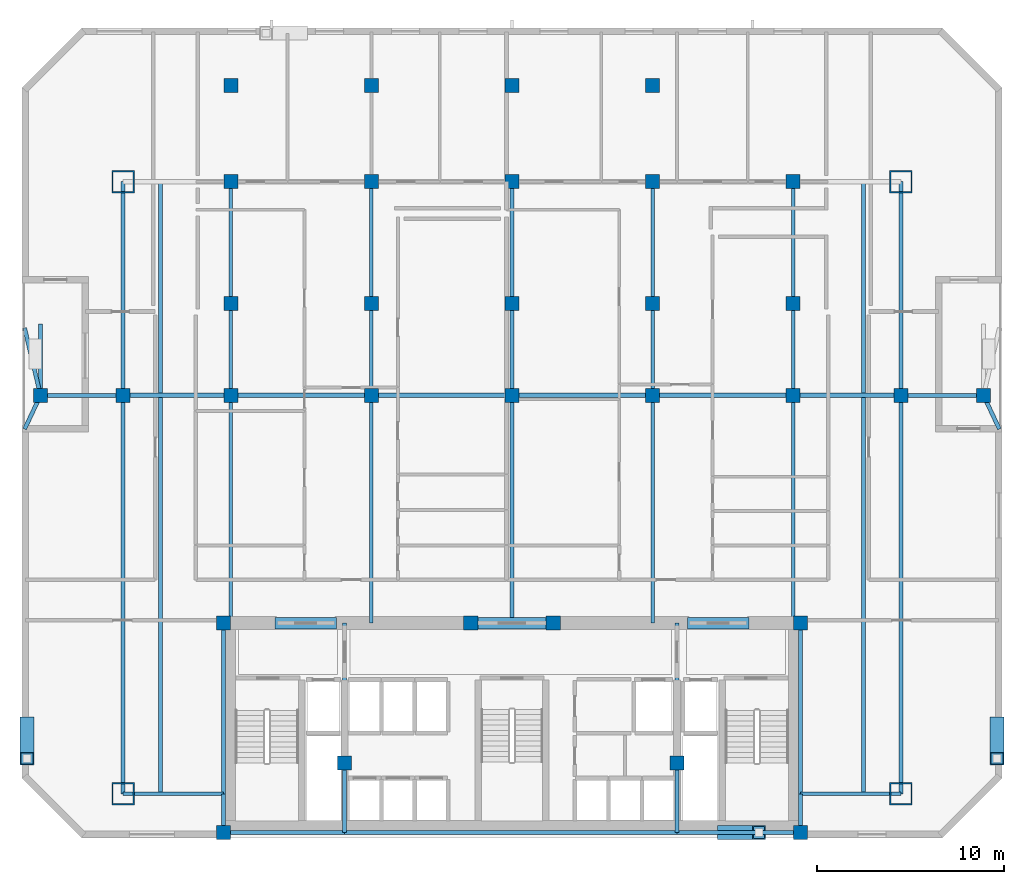
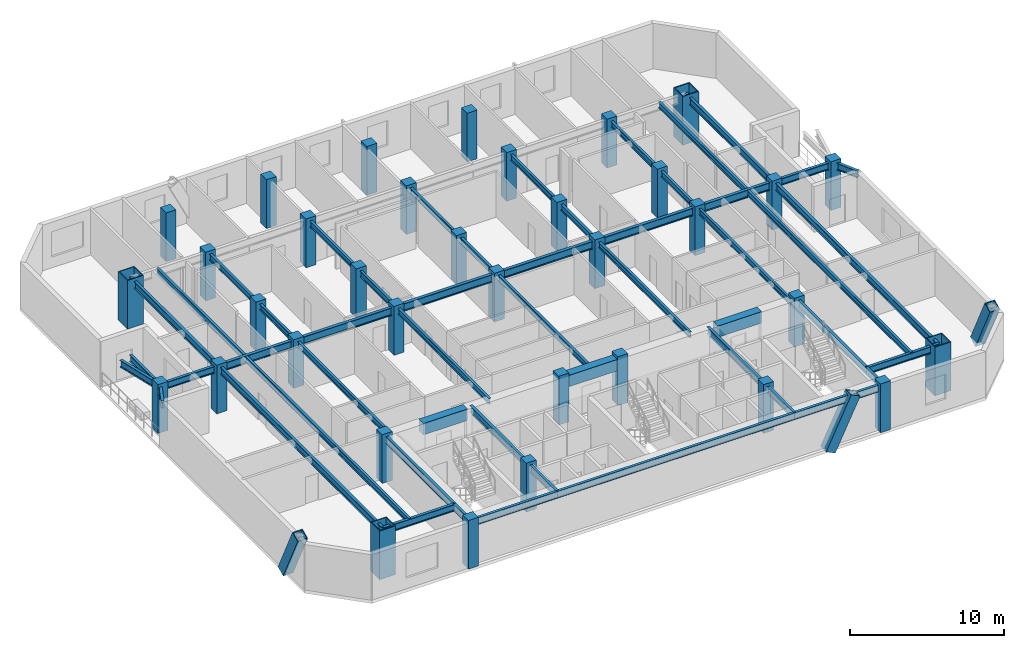
# One storey, part 1 of 9: 46 beams, 35 columns, 3 members.
"""IFC4 building model written with IfcOpenShell, lengths in metres."""

from ifc_helpers import new_model, si_unit, direction, frame, origin, origin_2d, place, context, subcontext, project, spatial, rectangle, hollow_rectangle, i_section, extrude, material, material_profile, profile_set, type_object, element, save


model = new_model("IFC4")

# Units and contexts
model_context = context("Model", 3, precision=1e-05, world=origin(), true_north=direction((0.0, 1.0)))
body_context = subcontext(model_context, "Body", "Model", "MODEL_VIEW")
ifc_project = project(units=[si_unit("LENGTHUNIT", "METRE"), si_unit("AREAUNIT", "SQUARE_METRE"), si_unit("VOLUMEUNIT", "CUBIC_METRE"), si_unit("PLANEANGLEUNIT", "RADIAN"), si_unit("MASSUNIT", "GRAM", prefix="KILO")], contexts=[model_context])

# Site, building, storey
site_placement = place(None, origin())
site = spatial("IfcSite", under=ifc_project, at=site_placement, CompositionType="ELEMENT")
building_placement = place(site_placement, origin())
building = spatial("IfcBuilding", under=site, at=building_placement, Name="Ventersveld Concourse Tower", CompositionType="ELEMENT")
storey_placement = place(building_placement, frame((0.0, 0.0, 115.699951171875)))
storey = spatial("IfcBuildingStorey", under=building, at=storey_placement, Name="L28", CompositionType="ELEMENT", Elevation=115.699951171875)

# Columns
ifc_material_1 = material(Name="Concrete C50/60", Category="concrete")
ifc_material_profile_1 = material_profile(ifc_material_1, rectangle(XDim=0.75, YDim=0.75, at=origin_2d()), Name="RC 750x750")
ifc_profile_set_1 = profile_set([ifc_material_profile_1], Name="Concrete C50/60")
column_type_1 = type_object("IfcColumnType", Name="COL-RC750", PredefinedType="COLUMN", material=ifc_profile_set_1)
for number, where, z_axis, x_axis, name in (
    (1, (13.35009765625, 0.280029296875, 0.0), (0.0, 0.0, 1.0), (1.0, 0.0, 0.0), "L28 Core Spine Column CC-SW"),
    (2, (44.14990234375, 0.280029296875, 0.0), (0.0, 0.0, 1.0), (1.0, 0.0, 0.0), "L28 Core Spine Column CC-SE"),
    (3, (13.35009765625, 11.449951171875, 0.0), (0.0, 0.0, 1.0), (1.0, 0.0, 0.0), "L28 Core Spine Column CC-NW"),
    (4, (44.14990234375, 11.449951171875, 0.0), (0.0, 0.0, 1.0), (1.0, 0.0, 0.0), "L28 Core Spine Column CC-NE"),
    (5, (19.820068359375, 4.0, 0.0), (0.0, 0.0, 1.0), (1.0, 0.0, 0.0), "L28 Core Spine Column CM-1"),
    (6, (37.550048828125, 4.0, 0.0), (0.0, 0.0, 1.0), (1.0, 0.0, 0.0), "L28 Core Spine Column CM-2"),
    (7, (26.550048828125, 11.449951171875, 0.0), (0.0, 0.0, 1.0), (1.0, 0.0, 0.0), "L28 Core Spine Column CM-3"),
    (8, (30.949951171875, 11.449951171875, 0.0), (0.0, 0.0, 1.0), (1.0, 0.0, 0.0), "L28 Core Spine Column CM-4"),
    (9, (3.60009765625, 23.60009765625, 0.0), (0.0, 0.0, 1.0), (1.0, 0.0, 0.0), "L28 Interior Gravity Column X=3.60 Y=23.60"),
    (10, (8.0, 23.60009765625, 0.0), (0.0, 0.0, 1.0), (1.0, 0.0, 0.0), "L28 Interior Gravity Column X=8.00 Y=23.60"),
    (11, (13.75, 23.60009765625, 0.0), (0.0, 0.0, 1.0), (1.0, 0.0, 0.0), "L28 Interior Gravity Column X=13.75 Y=23.60"),
    (12, (21.25, 23.60009765625, 0.0), (0.0, 0.0, 1.0), (1.0, 0.0, 0.0), "L28 Interior Gravity Column X=21.25 Y=23.60"),
    (13, (28.75, 23.60009765625, 0.0), (0.0, 0.0, 1.0), (1.0, 0.0, 0.0), "L28 Interior Gravity Column X=28.75 Y=23.60"),
    (14, (36.25, 23.60009765625, 0.0), (0.0, 0.0, 1.0), (1.0, 0.0, 0.0), "L28 Interior Gravity Column X=36.25 Y=23.60"),
    (15, (43.75, 23.60009765625, 0.0), (0.0, 0.0, 1.0), (1.0, 0.0, 0.0), "L28 Interior Gravity Column X=43.75 Y=23.60"),
    (16, (49.5, 23.60009765625, 0.0), (0.0, 0.0, 1.0), (1.0, 0.0, 0.0), "L28 Interior Gravity Column X=49.50 Y=23.60"),
    (17, (53.89990234375, 23.60009765625, 0.0), (0.0, 0.0, 1.0), (1.0, 0.0, 0.0), "L28 Interior Gravity Column X=53.90 Y=23.60"),
    (18, (13.75, 28.5, 0.0), (0.0, 0.0, 1.0), (1.0, 0.0, 0.0), "L28 Upper-North Gravity Column X=13.75 Y=28.50"),
    (19, (21.25, 28.5, 0.0), (0.0, 0.0, 1.0), (1.0, 0.0, 0.0), "L28 Upper-North Gravity Column X=21.25 Y=28.50"),
    (20, (28.75, 28.5, 0.0), (0.0, 0.0, 1.0), (1.0, 0.0, 0.0), "L28 Upper-North Gravity Column X=28.75 Y=28.50"),
    (21, (36.25, 28.5, 0.0), (0.0, 0.0, 1.0), (1.0, 0.0, 0.0), "L28 Upper-North Gravity Column X=36.25 Y=28.50"),
    (22, (43.75, 28.5, 0.0), (0.0, 0.0, 1.0), (1.0, 0.0, 0.0), "L28 Upper-North Gravity Column X=43.75 Y=28.50"),
    (23, (13.75, 40.1201171875, 0.0), (0.0, 0.0, 1.0), (1.0, 0.0, 0.0), "L28 North Brace Node Column X=13.75 Y=40.12"),
    (24, (21.25, 40.1201171875, 0.0), (0.0, 0.0, 1.0), (1.0, 0.0, 0.0), "L28 North Brace Node Column X=21.25 Y=40.12"),
    (25, (28.75, 40.1201171875, 0.0), (0.0, 0.0, 1.0), (1.0, 0.0, 0.0), "L28 North Brace Node Column X=28.75 Y=40.12"),
    (26, (36.25, 40.1201171875, 0.0), (0.0, 0.0, 1.0), (1.0, 0.0, 0.0), "L28 North Brace Node Column X=36.25 Y=40.12"),
    (27, (13.75, 35.0, 0.0), (0.0, 0.0, 1.0), (1.0, 0.0, 0.0), "L28 Mid-North Column X=13.75 Y=35.00"),
    (28, (21.25, 35.0, 0.0), (0.0, 0.0, 1.0), (1.0, 0.0, 0.0), "L28 Mid-North Column X=21.25 Y=35.00"),
    (29, (28.75, 35.0, 0.0), (0.0, 0.0, 1.0), (1.0, 0.0, 0.0), "L28 Mid-North Column X=28.75 Y=35.00"),
    (30, (36.25, 35.0, 0.0), (0.0, 0.0, 1.0), (1.0, 0.0, 0.0), "L28 Mid-North Column X=36.25 Y=35.00"),
    (31, (43.75, 35.0, 0.0), (0.0, 0.0, 1.0), (1.0, 0.0, 0.0), "L28 Mid-North Column X=43.75 Y=35.00"),
):
    element("IfcColumn", number, at=place(storey_placement, frame(where, z_axis=z_axis, x_axis=x_axis)), inside=storey, type_object=column_type_1, Name=name, PredefinedType="COLUMN", context=body_context, shape_type="SweptSolid", body=[
        extrude(rectangle(XDim=0.75, YDim=0.75, at=origin_2d()), origin(), (0.0, 0.0, 1.0), 3.85009765625),
    ])
ifc_material_2 = material(Name="Structural steel S460ML", Category="steel")
ifc_material_profile_2 = material_profile(ifc_material_2, hollow_rectangle(XDim=1.199951171875, YDim=1.199951171875, WallThickness=0.070068359375, at=origin_2d()), Name="BOX 1200x1200x70")
ifc_profile_set_2 = profile_set([ifc_material_profile_2], Name="Structural steel S460ML")
column_type_2 = type_object("IfcColumnType", Name="MC-1200", PredefinedType="USERDEFINED", material=ifc_profile_set_2)
for number, where, z_axis, x_axis, name in (
    (32, (8.0, 2.35009765625, 0.0), (0.0, 0.0, 1.0), (1.0, 0.0, 0.0), "L28 Corner Mega-Column MC-SW"),
    (33, (49.5, 2.35009765625, 0.0), (0.0, 0.0, 1.0), (1.0, 0.0, 0.0), "L28 Corner Mega-Column MC-SE"),
    (34, (49.5, 35.0, 0.0), (0.0, 0.0, 1.0), (1.0, 0.0, 0.0), "L28 Corner Mega-Column MC-NE"),
    (35, (8.0, 35.0, 0.0), (0.0, 0.0, 1.0), (1.0, 0.0, 0.0), "L28 Corner Mega-Column MC-NW"),
):
    element("IfcColumn", number, at=place(storey_placement, frame(where, z_axis=z_axis, x_axis=x_axis)), inside=storey, type_object=column_type_2, Name=name, ObjectType="MEGA_COLUMN", PredefinedType="USERDEFINED", context=body_context, shape_type="SweptSolid", body=[
        extrude(hollow_rectangle(XDim=1.199951171875, YDim=1.199951171875, WallThickness=0.070068359375, at=origin_2d()), origin(), (0.0, 0.0, 1.0), 3.85009765625),
    ])

# Beams
ifc_material_3 = material(Name="Structural steel S355J2", Category="steel")
ifc_material_profile_3 = material_profile(ifc_material_3, i_section(OverallWidth=0.18994140625, OverallDepth=0.453369140625, WebThickness=0.008544921875, FlangeThickness=0.0126953125, FilletRadius=0.01025390625, at=origin_2d()), Name="UB 457x191x67")
ifc_profile_set_3 = profile_set([ifc_material_profile_3], Name="Structural steel S355J2")
beam_type_1 = type_object("IfcBeamType", Name="BM-UB457", PredefinedType="BEAM", material=ifc_profile_set_3)
beam_1_placement = place(storey_placement, frame((10.0, 2.35009765625, 3.373291015625), z_axis=(0.0, 1.0, 0.0), x_axis=(-1.0, 0.0, 0.0)))
element("IfcBeam", 36, at=beam_1_placement, inside=storey, type_object=beam_type_1, Name="L28 N-S Composite Floor Beam South X=10.00", PredefinedType="BEAM", context=body_context, shape_type="SweptSolid", body=[
    extrude(i_section(OverallWidth=0.18994140625, OverallDepth=0.453369140625, WebThickness=0.008544921875, FlangeThickness=0.0126953125, FilletRadius=0.01025390625, at=origin_2d()), origin(), (0.0, 0.0, 1.0), 21.15478515625),
])
beam_2_placement = place(storey_placement, frame((10.0, 23.695068359375, 3.373291015625), z_axis=(0.0, 1.0, 0.0), x_axis=(-1.0, 0.0, 0.0)))
element("IfcBeam", 37, at=beam_2_placement, inside=storey, type_object=beam_type_1, Name="L28 N-S Composite Floor Beam Mid X=10.00", PredefinedType="BEAM", context=body_context, shape_type="SweptSolid", body=[
    extrude(i_section(OverallWidth=0.18994140625, OverallDepth=0.453369140625, WebThickness=0.008544921875, FlangeThickness=0.0126953125, FilletRadius=0.01025390625, at=origin_2d()), origin(), (0.0, 0.0, 1.0), 11.304931640625),
])
beam_3_placement = place(storey_placement, frame((13.75, 11.449951171875, 3.373291015625), z_axis=(0.0, 1.0, 0.0), x_axis=(-1.0, 0.0, 0.0)))
element("IfcBeam", 38, at=beam_3_placement, inside=storey, type_object=beam_type_1, Name="L28 N-S Composite Floor Beam South X=13.75", PredefinedType="BEAM", context=body_context, shape_type="SweptSolid", body=[
    extrude(i_section(OverallWidth=0.18994140625, OverallDepth=0.453369140625, WebThickness=0.008544921875, FlangeThickness=0.0126953125, FilletRadius=0.01025390625, at=origin_2d()), origin(), (0.0, 0.0, 1.0), 12.150146484375),
])
beam_4_placement = place(storey_placement, frame((13.75, 23.60009765625, 3.373291015625), z_axis=(0.0, 1.0, 0.0), x_axis=(-1.0, 0.0, 0.0)))
element("IfcBeam", 39, at=beam_4_placement, inside=storey, type_object=beam_type_1, Name="L28 N-S Composite Floor Beam Mid X=13.75", PredefinedType="BEAM", context=body_context, shape_type="SweptSolid", body=[
    extrude(i_section(OverallWidth=0.18994140625, OverallDepth=0.453369140625, WebThickness=0.008544921875, FlangeThickness=0.0126953125, FilletRadius=0.01025390625, at=origin_2d()), origin(), (0.0, 0.0, 1.0), 11.39990234375),
])
beam_5_placement = place(storey_placement, frame((21.25, 11.449951171875, 3.373291015625), z_axis=(0.0, 1.0, 0.0), x_axis=(-1.0, 0.0, 0.0)))
element("IfcBeam", 40, at=beam_5_placement, inside=storey, type_object=beam_type_1, Name="L28 N-S Composite Floor Beam South X=21.25", PredefinedType="BEAM", context=body_context, shape_type="SweptSolid", body=[
    extrude(i_section(OverallWidth=0.18994140625, OverallDepth=0.453369140625, WebThickness=0.008544921875, FlangeThickness=0.0126953125, FilletRadius=0.01025390625, at=origin_2d()), origin(), (0.0, 0.0, 1.0), 12.150146484375),
])
beam_6_placement = place(storey_placement, frame((21.25, 23.60009765625, 3.373291015625), z_axis=(0.0, 1.0, 0.0), x_axis=(-1.0, 0.0, 0.0)))
element("IfcBeam", 41, at=beam_6_placement, inside=storey, type_object=beam_type_1, Name="L28 N-S Composite Floor Beam Mid X=21.25", PredefinedType="BEAM", context=body_context, shape_type="SweptSolid", body=[
    extrude(i_section(OverallWidth=0.18994140625, OverallDepth=0.453369140625, WebThickness=0.008544921875, FlangeThickness=0.0126953125, FilletRadius=0.01025390625, at=origin_2d()), origin(), (0.0, 0.0, 1.0), 11.39990234375),
])
beam_7_placement = place(storey_placement, frame((28.75, 11.449951171875, 3.373291015625), z_axis=(0.0, 1.0, 0.0), x_axis=(-1.0, 0.0, 0.0)))
element("IfcBeam", 42, at=beam_7_placement, inside=storey, type_object=beam_type_1, Name="L28 N-S Composite Floor Beam South X=28.75", PredefinedType="BEAM", context=body_context, shape_type="SweptSolid", body=[
    extrude(i_section(OverallWidth=0.18994140625, OverallDepth=0.453369140625, WebThickness=0.008544921875, FlangeThickness=0.0126953125, FilletRadius=0.01025390625, at=origin_2d()), origin(), (0.0, 0.0, 1.0), 12.150146484375),
])
beam_8_placement = place(storey_placement, frame((28.75, 23.60009765625, 3.373291015625), z_axis=(0.0, 1.0, 0.0), x_axis=(-1.0, 0.0, 0.0)))
element("IfcBeam", 43, at=beam_8_placement, inside=storey, type_object=beam_type_1, Name="L28 N-S Composite Floor Beam Mid X=28.75", PredefinedType="BEAM", context=body_context, shape_type="SweptSolid", body=[
    extrude(i_section(OverallWidth=0.18994140625, OverallDepth=0.453369140625, WebThickness=0.008544921875, FlangeThickness=0.0126953125, FilletRadius=0.01025390625, at=origin_2d()), origin(), (0.0, 0.0, 1.0), 11.39990234375),
])
beam_9_placement = place(storey_placement, frame((36.25, 11.449951171875, 3.373291015625), z_axis=(0.0, 1.0, 0.0), x_axis=(-1.0, 0.0, 0.0)))
element("IfcBeam", 44, at=beam_9_placement, inside=storey, type_object=beam_type_1, Name="L28 N-S Composite Floor Beam South X=36.25", PredefinedType="BEAM", context=body_context, shape_type="SweptSolid", body=[
    extrude(i_section(OverallWidth=0.18994140625, OverallDepth=0.453369140625, WebThickness=0.008544921875, FlangeThickness=0.0126953125, FilletRadius=0.01025390625, at=origin_2d()), origin(), (0.0, 0.0, 1.0), 12.150146484375),
])
beam_10_placement = place(storey_placement, frame((36.25, 23.60009765625, 3.373291015625), z_axis=(0.0, 1.0, 0.0), x_axis=(-1.0, 0.0, 0.0)))
element("IfcBeam", 45, at=beam_10_placement, inside=storey, type_object=beam_type_1, Name="L28 N-S Composite Floor Beam Mid X=36.25", PredefinedType="BEAM", context=body_context, shape_type="SweptSolid", body=[
    extrude(i_section(OverallWidth=0.18994140625, OverallDepth=0.453369140625, WebThickness=0.008544921875, FlangeThickness=0.0126953125, FilletRadius=0.01025390625, at=origin_2d()), origin(), (0.0, 0.0, 1.0), 11.39990234375),
])
beam_11_placement = place(storey_placement, frame((43.75, 11.449951171875, 3.373291015625), z_axis=(0.0, 1.0, 0.0), x_axis=(-1.0, 0.0, 0.0)))
element("IfcBeam", 46, at=beam_11_placement, inside=storey, type_object=beam_type_1, Name="L28 N-S Composite Floor Beam South X=43.75", PredefinedType="BEAM", context=body_context, shape_type="SweptSolid", body=[
    extrude(i_section(OverallWidth=0.18994140625, OverallDepth=0.453369140625, WebThickness=0.008544921875, FlangeThickness=0.0126953125, FilletRadius=0.01025390625, at=origin_2d()), origin(), (0.0, 0.0, 1.0), 12.150146484375),
])
beam_12_placement = place(storey_placement, frame((43.75, 23.60009765625, 3.373291015625), z_axis=(0.0, 1.0, 0.0), x_axis=(-1.0, 0.0, 0.0)))
element("IfcBeam", 47, at=beam_12_placement, inside=storey, type_object=beam_type_1, Name="L28 N-S Composite Floor Beam Mid X=43.75", PredefinedType="BEAM", context=body_context, shape_type="SweptSolid", body=[
    extrude(i_section(OverallWidth=0.18994140625, OverallDepth=0.453369140625, WebThickness=0.008544921875, FlangeThickness=0.0126953125, FilletRadius=0.01025390625, at=origin_2d()), origin(), (0.0, 0.0, 1.0), 11.39990234375),
])
beam_13_placement = place(storey_placement, frame((47.5, 2.35009765625, 3.373291015625), z_axis=(0.0, 1.0, 0.0), x_axis=(-1.0, 0.0, 0.0)))
element("IfcBeam", 48, at=beam_13_placement, inside=storey, type_object=beam_type_1, Name="L28 N-S Composite Floor Beam South X=47.50", PredefinedType="BEAM", context=body_context, shape_type="SweptSolid", body=[
    extrude(i_section(OverallWidth=0.18994140625, OverallDepth=0.453369140625, WebThickness=0.008544921875, FlangeThickness=0.0126953125, FilletRadius=0.01025390625, at=origin_2d()), origin(), (0.0, 0.0, 1.0), 21.15478515625),
])
beam_14_placement = place(storey_placement, frame((47.5, 23.695068359375, 3.373291015625), z_axis=(0.0, 1.0, 0.0), x_axis=(-1.0, 0.0, 0.0)))
element("IfcBeam", 49, at=beam_14_placement, inside=storey, type_object=beam_type_1, Name="L28 N-S Composite Floor Beam Mid X=47.50", PredefinedType="BEAM", context=body_context, shape_type="SweptSolid", body=[
    extrude(i_section(OverallWidth=0.18994140625, OverallDepth=0.453369140625, WebThickness=0.008544921875, FlangeThickness=0.0126953125, FilletRadius=0.01025390625, at=origin_2d()), origin(), (0.0, 0.0, 1.0), 11.304931640625),
])
ifc_material_4 = material(Name="Concrete C60/75", Category="concrete")
ifc_material_profile_4 = material_profile(ifc_material_4, rectangle(XDim=0.60009765625, YDim=0.89990234375, at=origin_2d()), Name="RC 600x900")
ifc_profile_set_4 = profile_set([ifc_material_profile_4], Name="Concrete C60/75")
beam_type_2 = type_object("IfcBeamType", Name="CB-RC600x900L", PredefinedType="LINTEL", material=ifc_profile_set_4)
beam_15_placement = place(storey_placement, frame((16.10009765625, 11.449951171875, 3.150146484375), z_axis=(1.0, 0.0, 0.0), x_axis=(0.0, 1.0, 0.0)))
element("IfcBeam", 50, at=beam_15_placement, inside=storey, type_object=beam_type_2, Name="L28 Core Coupling Lintel Beam 1", PredefinedType="LINTEL", context=body_context, shape_type="SweptSolid", body=[
    extrude(rectangle(XDim=0.60009765625, YDim=0.89990234375, at=origin_2d()), origin(), (0.0, 0.0, 1.0), 3.2998046875),
])
beam_16_placement = place(storey_placement, frame((26.5, 11.449951171875, 3.150146484375), z_axis=(1.0, 0.0, 0.0), x_axis=(0.0, 1.0, 0.0)))
element("IfcBeam", 51, at=beam_16_placement, inside=storey, type_object=beam_type_2, Name="L28 Core Coupling Lintel Beam 2", PredefinedType="LINTEL", context=body_context, shape_type="SweptSolid", body=[
    extrude(rectangle(XDim=0.60009765625, YDim=0.89990234375, at=origin_2d()), origin(), (0.0, 0.0, 1.0), 4.5),
])
beam_17_placement = place(storey_placement, frame((38.10009765625, 11.449951171875, 3.150146484375), z_axis=(1.0, 0.0, 0.0), x_axis=(0.0, 1.0, 0.0)))
element("IfcBeam", 52, at=beam_17_placement, inside=storey, type_object=beam_type_2, Name="L28 Core Coupling Lintel Beam 3", PredefinedType="LINTEL", context=body_context, shape_type="SweptSolid", body=[
    extrude(rectangle(XDim=0.60009765625, YDim=0.89990234375, at=origin_2d()), origin(), (0.0, 0.0, 1.0), 3.2998046875),
])
ifc_material_profile_5 = material_profile(ifc_material_3, i_section(OverallWidth=0.2119140625, OverallDepth=0.54443359375, WebThickness=0.0126953125, FlangeThickness=0.021240234375, FilletRadius=0.0126953125, at=origin_2d()), Name="UB 533x210x122")
ifc_profile_set_5 = profile_set([ifc_material_profile_5], Name="Structural steel S355J2")
beam_type_3 = type_object("IfcBeamType", Name="GRD-UB533H", PredefinedType="T_BEAM", material=ifc_profile_set_5)
beam_18_placement = place(storey_placement, frame((13.35009765625, 0.280029296875, 3.32763671875), z_axis=(0.0, 1.0, 0.0), x_axis=(-1.0, 0.0, 0.0)))
element("IfcBeam", 53, at=beam_18_placement, inside=storey, type_object=beam_type_3, Name="L28 Core West Tie Beam S", PredefinedType="T_BEAM", context=body_context, shape_type="SweptSolid", body=[
    extrude(i_section(OverallWidth=0.2119140625, OverallDepth=0.54443359375, WebThickness=0.0126953125, FlangeThickness=0.021240234375, FilletRadius=0.0126953125, at=origin_2d()), origin(), (0.0, 0.0, 1.0), 2.070068359375),
])
beam_19_placement = place(storey_placement, frame((13.35009765625, 2.35009765625, 3.32763671875), z_axis=(0.0, 1.0, 0.0), x_axis=(-1.0, 0.0, 0.0)))
element("IfcBeam", 54, at=beam_19_placement, inside=storey, type_object=beam_type_3, Name="L28 Core West Tie Beam N", PredefinedType="T_BEAM", context=body_context, shape_type="SweptSolid", body=[
    extrude(i_section(OverallWidth=0.2119140625, OverallDepth=0.54443359375, WebThickness=0.0126953125, FlangeThickness=0.021240234375, FilletRadius=0.0126953125, at=origin_2d()), origin(), (0.0, 0.0, 1.0), 9.099853515625),
])
beam_20_placement = place(storey_placement, frame((44.14990234375, 0.280029296875, 3.32763671875), z_axis=(0.0, 1.0, 0.0), x_axis=(-1.0, 0.0, 0.0)))
element("IfcBeam", 55, at=beam_20_placement, inside=storey, type_object=beam_type_3, Name="L28 Core East Tie Beam S", PredefinedType="T_BEAM", context=body_context, shape_type="SweptSolid", body=[
    extrude(i_section(OverallWidth=0.2119140625, OverallDepth=0.54443359375, WebThickness=0.0126953125, FlangeThickness=0.021240234375, FilletRadius=0.0126953125, at=origin_2d()), origin(), (0.0, 0.0, 1.0), 2.070068359375),
])
beam_21_placement = place(storey_placement, frame((44.14990234375, 2.35009765625, 3.32763671875), z_axis=(0.0, 1.0, 0.0), x_axis=(-1.0, 0.0, 0.0)))
element("IfcBeam", 56, at=beam_21_placement, inside=storey, type_object=beam_type_3, Name="L28 Core East Tie Beam N", PredefinedType="T_BEAM", context=body_context, shape_type="SweptSolid", body=[
    extrude(i_section(OverallWidth=0.2119140625, OverallDepth=0.54443359375, WebThickness=0.0126953125, FlangeThickness=0.021240234375, FilletRadius=0.0126953125, at=origin_2d()), origin(), (0.0, 0.0, 1.0), 9.099853515625),
])
beam_22_placement = place(storey_placement, frame((13.35009765625, 0.280029296875, 3.32763671875), z_axis=(1.0, 0.0, 0.0), x_axis=(0.0, 1.0, 0.0)))
element("IfcBeam", 57, at=beam_22_placement, inside=storey, type_object=beam_type_3, Name="L28 Core South Tie Beam W", PredefinedType="T_BEAM", context=body_context, shape_type="SweptSolid", body=[
    extrude(i_section(OverallWidth=0.2119140625, OverallDepth=0.54443359375, WebThickness=0.0126953125, FlangeThickness=0.021240234375, FilletRadius=0.0126953125, at=origin_2d()), origin(), (0.0, 0.0, 1.0), 6.469970703125),
])
beam_23_placement = place(storey_placement, frame((19.820068359375, 0.280029296875, 3.32763671875), z_axis=(1.0, 0.0, 0.0), x_axis=(0.0, 1.0, 0.0)))
element("IfcBeam", 58, at=beam_23_placement, inside=storey, type_object=beam_type_3, Name="L28 Core South Tie Beam C", PredefinedType="T_BEAM", context=body_context, shape_type="SweptSolid", body=[
    extrude(i_section(OverallWidth=0.2119140625, OverallDepth=0.54443359375, WebThickness=0.0126953125, FlangeThickness=0.021240234375, FilletRadius=0.0126953125, at=origin_2d()), origin(), (0.0, 0.0, 1.0), 17.72998046875),
])
beam_24_placement = place(storey_placement, frame((37.550048828125, 0.280029296875, 3.32763671875), z_axis=(1.0, 0.0, 0.0), x_axis=(0.0, 1.0, 0.0)))
element("IfcBeam", 59, at=beam_24_placement, inside=storey, type_object=beam_type_3, Name="L28 Core South Tie Beam E", PredefinedType="T_BEAM", context=body_context, shape_type="SweptSolid", body=[
    extrude(i_section(OverallWidth=0.2119140625, OverallDepth=0.54443359375, WebThickness=0.0126953125, FlangeThickness=0.021240234375, FilletRadius=0.0126953125, at=origin_2d()), origin(), (0.0, 0.0, 1.0), 6.599853515625),
])
beam_25_placement = place(storey_placement, frame((19.820068359375, 0.280029296875, 3.32763671875), z_axis=(0.0, 1.0, 0.0), x_axis=(-1.0, 0.0, 0.0)))
element("IfcBeam", 60, at=beam_25_placement, inside=storey, type_object=beam_type_3, Name="L28 Core Spine N-S Tie Beam W1", PredefinedType="T_BEAM", context=body_context, shape_type="SweptSolid", body=[
    extrude(i_section(OverallWidth=0.2119140625, OverallDepth=0.54443359375, WebThickness=0.0126953125, FlangeThickness=0.021240234375, FilletRadius=0.0126953125, at=origin_2d()), origin(), (0.0, 0.0, 1.0), 3.719970703125),
])
beam_26_placement = place(storey_placement, frame((19.820068359375, 4.0, 3.32763671875), z_axis=(0.0, 1.0, 0.0), x_axis=(-1.0, 0.0, 0.0)))
element("IfcBeam", 61, at=beam_26_placement, inside=storey, type_object=beam_type_3, Name="L28 Core Spine N-S Tie Beam W2", PredefinedType="T_BEAM", context=body_context, shape_type="SweptSolid", body=[
    extrude(i_section(OverallWidth=0.2119140625, OverallDepth=0.54443359375, WebThickness=0.0126953125, FlangeThickness=0.021240234375, FilletRadius=0.0126953125, at=origin_2d()), origin(), (0.0, 0.0, 1.0), 7.449951171875),
])
beam_27_placement = place(storey_placement, frame((37.550048828125, 0.280029296875, 3.32763671875), z_axis=(0.0, 1.0, 0.0), x_axis=(-1.0, 0.0, 0.0)))
element("IfcBeam", 62, at=beam_27_placement, inside=storey, type_object=beam_type_3, Name="L28 Core Spine N-S Tie Beam E1", PredefinedType="T_BEAM", context=body_context, shape_type="SweptSolid", body=[
    extrude(i_section(OverallWidth=0.2119140625, OverallDepth=0.54443359375, WebThickness=0.0126953125, FlangeThickness=0.021240234375, FilletRadius=0.0126953125, at=origin_2d()), origin(), (0.0, 0.0, 1.0), 3.719970703125),
])
beam_28_placement = place(storey_placement, frame((37.550048828125, 4.0, 3.32763671875), z_axis=(0.0, 1.0, 0.0), x_axis=(-1.0, 0.0, 0.0)))
element("IfcBeam", 63, at=beam_28_placement, inside=storey, type_object=beam_type_3, Name="L28 Core Spine N-S Tie Beam E2", PredefinedType="T_BEAM", context=body_context, shape_type="SweptSolid", body=[
    extrude(i_section(OverallWidth=0.2119140625, OverallDepth=0.54443359375, WebThickness=0.0126953125, FlangeThickness=0.021240234375, FilletRadius=0.0126953125, at=origin_2d()), origin(), (0.0, 0.0, 1.0), 7.449951171875),
])
ifc_material_profile_6 = material_profile(ifc_material_3, i_section(OverallWidth=0.230224609375, OverallDepth=0.6171875, WebThickness=0.01318359375, FlangeThickness=0.022216796875, FilletRadius=0.0126953125, at=origin_2d()), Name="UB 610x229x140")
ifc_profile_set_6 = profile_set([ifc_material_profile_6], Name="Structural steel S355J2")
beam_type_4 = type_object("IfcBeamType", Name="GRD-UB610", PredefinedType="USERDEFINED", material=ifc_profile_set_6)
beam_29_placement = place(storey_placement, frame((8.0, 23.60009765625, 3.29150390625), z_axis=(1.0, 0.0, 0.0), x_axis=(0.0, 1.0, 0.0)))
element("IfcBeam", 64, at=beam_29_placement, inside=storey, type_object=beam_type_4, Name="L28 Primary E-W Grid Girder Y=23.60 #1", ObjectType="GIRDER", PredefinedType="USERDEFINED", context=body_context, shape_type="SweptSolid", body=[
    extrude(i_section(OverallWidth=0.230224609375, OverallDepth=0.6171875, WebThickness=0.01318359375, FlangeThickness=0.022216796875, FilletRadius=0.0126953125, at=origin_2d()), origin(), (0.0, 0.0, 1.0), 5.75),
])
for number, where, z_axis, x_axis, name in (
    (65, (13.75, 23.60009765625, 3.29150390625), (1.0, 0.0, 0.0), (0.0, 1.0, 0.0), "L28 Primary E-W Grid Girder Y=23.60 #2"),
    (66, (21.25, 23.60009765625, 3.29150390625), (1.0, 0.0, 0.0), (0.0, 1.0, 0.0), "L28 Primary E-W Grid Girder Y=23.60 #3"),
    (67, (28.75, 23.60009765625, 3.29150390625), (1.0, 0.0, 0.0), (0.0, 1.0, 0.0), "L28 Primary E-W Grid Girder Y=23.60 #4"),
    (68, (36.25, 23.60009765625, 3.29150390625), (1.0, 0.0, 0.0), (0.0, 1.0, 0.0), "L28 Primary E-W Grid Girder Y=23.60 #5"),
):
    element("IfcBeam", number, at=place(storey_placement, frame(where, z_axis=z_axis, x_axis=x_axis)), inside=storey, type_object=beam_type_4, Name=name, ObjectType="GIRDER", PredefinedType="USERDEFINED", context=body_context, shape_type="SweptSolid", body=[
        extrude(i_section(OverallWidth=0.230224609375, OverallDepth=0.6171875, WebThickness=0.01318359375, FlangeThickness=0.022216796875, FilletRadius=0.0126953125, at=origin_2d()), origin(), (0.0, 0.0, 1.0), 7.5),
    ])
beam_30_placement = place(storey_placement, frame((43.75, 23.60009765625, 3.29150390625), z_axis=(1.0, 0.0, 0.0), x_axis=(0.0, 1.0, 0.0)))
element("IfcBeam", 69, at=beam_30_placement, inside=storey, type_object=beam_type_4, Name="L28 Primary E-W Grid Girder Y=23.60 #6", ObjectType="GIRDER", PredefinedType="USERDEFINED", context=body_context, shape_type="SweptSolid", body=[
    extrude(i_section(OverallWidth=0.230224609375, OverallDepth=0.6171875, WebThickness=0.01318359375, FlangeThickness=0.022216796875, FilletRadius=0.0126953125, at=origin_2d()), origin(), (0.0, 0.0, 1.0), 5.75),
])

# Members
ifc_material_5 = material(Name="Structural steel S355ML", Category="steel")
ifc_material_profile_7 = material_profile(ifc_material_5, hollow_rectangle(XDim=0.75, YDim=0.75, WallThickness=0.044921875, at=origin_2d()), Name="BOX 750x750x45")
ifc_profile_set_7 = profile_set([ifc_material_profile_7], Name="Structural steel S355ML")
member_type = type_object("IfcMemberType", Name="MB-750x750", PredefinedType="BRACE", material=ifc_profile_set_7)
for number, where, z_axis, x_axis, name in (
    (70, (40.050048828125, 0.280029296875, -0.25), (0.437839464193, 0.0, 0.899053170616), (0.0, 1.0, 0.0), "L28 Exterior Mega-Brace S (Module M06)"),
    (71, (2.8798828125, 6.10009765625, -0.25), (0.0, -0.437839464193, 0.899053170616), (1.0, 0.0, 0.0), "L28 Exterior Mega-Brace W (Module M06)"),
    (72, (54.6201171875, 6.10009765625, -0.25), (0.0, -0.437839464193, 0.899053170616), (1.0, 0.0, 0.0), "L28 Exterior Mega-Brace E (Module M06)"),
):
    element("IfcMember", number, at=place(storey_placement, frame(where, z_axis=z_axis, x_axis=x_axis)), inside=storey, type_object=member_type, Name=name, PredefinedType="BRACE", context=body_context, shape_type="SweptSolid", body=[
        extrude(hollow_rectangle(XDim=0.75, YDim=0.75, WallThickness=0.044921875, at=origin_2d()), origin(), (0.0, 0.0, 1.0), 4.282470703125),
    ])

# Beams
ifc_material_profile_8 = material_profile(ifc_material_3, i_section(OverallWidth=0.2119140625, OverallDepth=0.54443359375, WebThickness=0.0126953125, FlangeThickness=0.021240234375, FilletRadius=0.0126953125, at=origin_2d()), Name="UB 533x210x122")
ifc_profile_set_8 = profile_set([ifc_material_profile_8], Name="Structural steel S355J2")
beam_type_5 = type_object("IfcBeamType", Name="SPD-UB533", PredefinedType="SPANDREL", material=ifc_profile_set_8)
for number, where, z_axis, x_axis, name in (
    (73, (8.0, 2.35009765625, 3.32763671875), (1.0, 0.0, 0.0), (0.0, 1.0, 0.0), "L28 SW Spandrel Beam"),
    (74, (44.14990234375, 2.35009765625, 3.32763671875), (1.0, 0.0, 0.0), (0.0, 1.0, 0.0), "L28 SE Spandrel Beam"),
):
    element("IfcBeam", number, at=place(storey_placement, frame(where, z_axis=z_axis, x_axis=x_axis)), inside=storey, type_object=beam_type_5, Name=name, PredefinedType="SPANDREL", context=body_context, shape_type="SweptSolid", body=[
        extrude(i_section(OverallWidth=0.2119140625, OverallDepth=0.54443359375, WebThickness=0.0126953125, FlangeThickness=0.021240234375, FilletRadius=0.0126953125, at=origin_2d()), origin(), (0.0, 0.0, 1.0), 5.35009765625),
    ])
beam_31_placement = place(storey_placement, frame((8.0, 2.35009765625, 3.32763671875), z_axis=(0.0, 1.0, 0.0), x_axis=(-1.0, 0.0, 0.0)))
element("IfcBeam", 75, at=beam_31_placement, inside=storey, type_object=beam_type_5, Name="L28 West Spandrel Beam S", PredefinedType="SPANDREL", context=body_context, shape_type="SweptSolid", body=[
    extrude(i_section(OverallWidth=0.2119140625, OverallDepth=0.54443359375, WebThickness=0.0126953125, FlangeThickness=0.021240234375, FilletRadius=0.0126953125, at=origin_2d()), origin(), (0.0, 0.0, 1.0), 21.25),
])
beam_32_placement = place(storey_placement, frame((8.0, 23.60009765625, 3.32763671875), z_axis=(0.0, 1.0, 0.0), x_axis=(-1.0, 0.0, 0.0)))
element("IfcBeam", 76, at=beam_32_placement, inside=storey, type_object=beam_type_5, Name="L28 West Spandrel Beam N", PredefinedType="SPANDREL", context=body_context, shape_type="SweptSolid", body=[
    extrude(i_section(OverallWidth=0.2119140625, OverallDepth=0.54443359375, WebThickness=0.0126953125, FlangeThickness=0.021240234375, FilletRadius=0.0126953125, at=origin_2d()), origin(), (0.0, 0.0, 1.0), 11.39990234375),
])
beam_33_placement = place(storey_placement, frame((49.5, 2.35009765625, 3.32763671875), z_axis=(0.0, 1.0, 0.0), x_axis=(-1.0, 0.0, 0.0)))
element("IfcBeam", 77, at=beam_33_placement, inside=storey, type_object=beam_type_5, Name="L28 East Spandrel Beam S", PredefinedType="SPANDREL", context=body_context, shape_type="SweptSolid", body=[
    extrude(i_section(OverallWidth=0.2119140625, OverallDepth=0.54443359375, WebThickness=0.0126953125, FlangeThickness=0.021240234375, FilletRadius=0.0126953125, at=origin_2d()), origin(), (0.0, 0.0, 1.0), 21.25),
])
beam_34_placement = place(storey_placement, frame((49.5, 23.60009765625, 3.32763671875), z_axis=(0.0, 1.0, 0.0), x_axis=(-1.0, 0.0, 0.0)))
element("IfcBeam", 78, at=beam_34_placement, inside=storey, type_object=beam_type_5, Name="L28 East Spandrel Beam N", PredefinedType="SPANDREL", context=body_context, shape_type="SweptSolid", body=[
    extrude(i_section(OverallWidth=0.2119140625, OverallDepth=0.54443359375, WebThickness=0.0126953125, FlangeThickness=0.021240234375, FilletRadius=0.0126953125, at=origin_2d()), origin(), (0.0, 0.0, 1.0), 11.39990234375),
])
beam_35_placement = place(storey_placement, frame((3.60009765625, 23.60009765625, 3.32763671875), z_axis=(0.0, 1.0, 0.0), x_axis=(-1.0, 0.0, 0.0)))
element("IfcBeam", 79, at=beam_35_placement, inside=storey, type_object=beam_type_5, Name="L28 West Valley Spine Girder", PredefinedType="SPANDREL", context=body_context, shape_type="SweptSolid", body=[
    extrude(i_section(OverallWidth=0.2119140625, OverallDepth=0.54443359375, WebThickness=0.0126953125, FlangeThickness=0.021240234375, FilletRadius=0.0126953125, at=origin_2d()), origin(), (0.0, 0.0, 1.0), 3.7998046875),
])
beam_36_placement = place(storey_placement, frame((3.60009765625, 23.60009765625, 3.32763671875), z_axis=(1.0, 0.0, 0.0), x_axis=(0.0, 1.0, 0.0)))
element("IfcBeam", 80, at=beam_36_placement, inside=storey, type_object=beam_type_5, Name="L28 West Valley Tie S", PredefinedType="SPANDREL", context=body_context, shape_type="SweptSolid", body=[
    extrude(i_section(OverallWidth=0.2119140625, OverallDepth=0.54443359375, WebThickness=0.0126953125, FlangeThickness=0.021240234375, FilletRadius=0.0126953125, at=origin_2d()), origin(), (0.0, 0.0, 1.0), 4.39990234375),
])
beam_37_placement = place(storey_placement, frame((2.75, 21.800048828125, 3.32763671875), z_axis=(0.427036946139, 0.904234176877, 0.0), x_axis=(-0.904234176877, 0.427036946139, 0.0)))
element("IfcBeam", 81, at=beam_37_placement, inside=storey, type_object=beam_type_5, Name="L28 West Valley Corner Bracket 1", PredefinedType="SPANDREL", context=body_context, shape_type="SweptSolid", body=[
    extrude(i_section(OverallWidth=0.2119140625, OverallDepth=0.54443359375, WebThickness=0.0126953125, FlangeThickness=0.021240234375, FilletRadius=0.0126953125, at=origin_2d()), origin(), (0.0, 0.0, 1.0), 1.99072265625),
])
beam_38_placement = place(storey_placement, frame((2.75, 27.199951171875, 3.32763671875), z_axis=(0.229826547993, -0.973231605445, 0.0), x_axis=(0.973231605445, 0.229826547993, 0.0)))
element("IfcBeam", 82, at=beam_38_placement, inside=storey, type_object=beam_type_5, Name="L28 West Valley Corner Bracket 2", PredefinedType="SPANDREL", context=body_context, shape_type="SweptSolid", body=[
    extrude(i_section(OverallWidth=0.2119140625, OverallDepth=0.54443359375, WebThickness=0.0126953125, FlangeThickness=0.021240234375, FilletRadius=0.0126953125, at=origin_2d()), origin(), (0.0, 0.0, 1.0), 3.698974609375),
])
beam_39_placement = place(storey_placement, frame((49.5, 23.60009765625, 3.32763671875), z_axis=(1.0, 0.0, 0.0), x_axis=(0.0, 1.0, 0.0)))
element("IfcBeam", 83, at=beam_39_placement, inside=storey, type_object=beam_type_5, Name="L28 East Valley Tie S", PredefinedType="SPANDREL", context=body_context, shape_type="SweptSolid", body=[
    extrude(i_section(OverallWidth=0.2119140625, OverallDepth=0.54443359375, WebThickness=0.0126953125, FlangeThickness=0.021240234375, FilletRadius=0.0126953125, at=origin_2d()), origin(), (0.0, 0.0, 1.0), 4.39990234375),
])
beam_40_placement = place(storey_placement, frame((53.89990234375, 23.60009765625, 3.32763671875), z_axis=(0.427036946139, -0.904234176877, 0.0), x_axis=(0.904234176877, 0.427036946139, 0.0)))
element("IfcBeam", 84, at=beam_40_placement, inside=storey, type_object=beam_type_5, Name="L28 East Valley Corner Bracket 1", PredefinedType="SPANDREL", context=body_context, shape_type="SweptSolid", body=[
    extrude(i_section(OverallWidth=0.2119140625, OverallDepth=0.54443359375, WebThickness=0.0126953125, FlangeThickness=0.021240234375, FilletRadius=0.0126953125, at=origin_2d()), origin(), (0.0, 0.0, 1.0), 1.99072265625),
])

save(model, "model.ifc")
